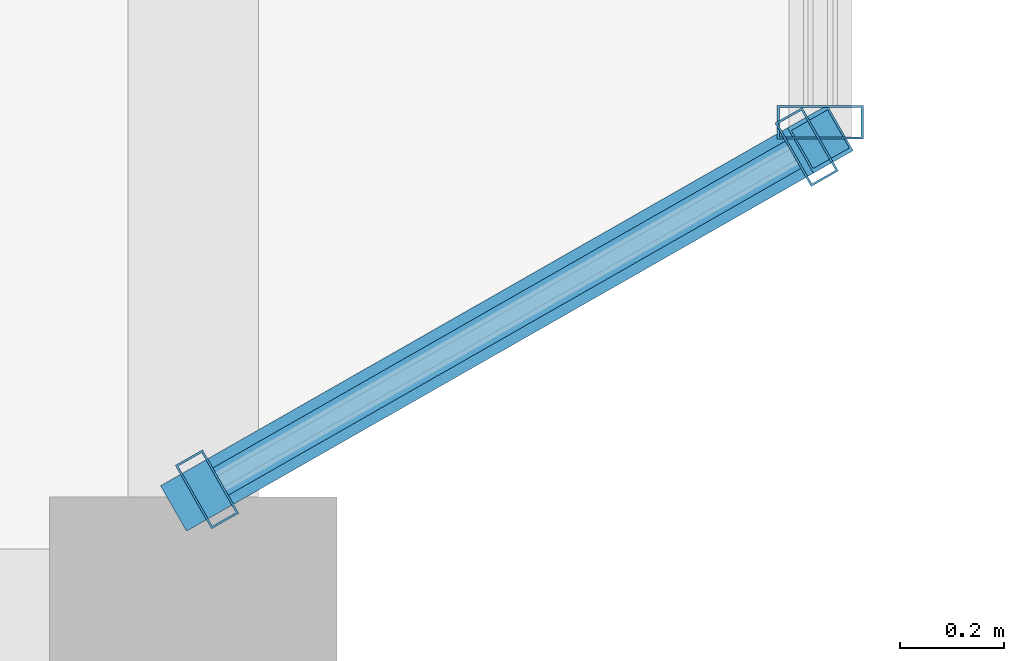
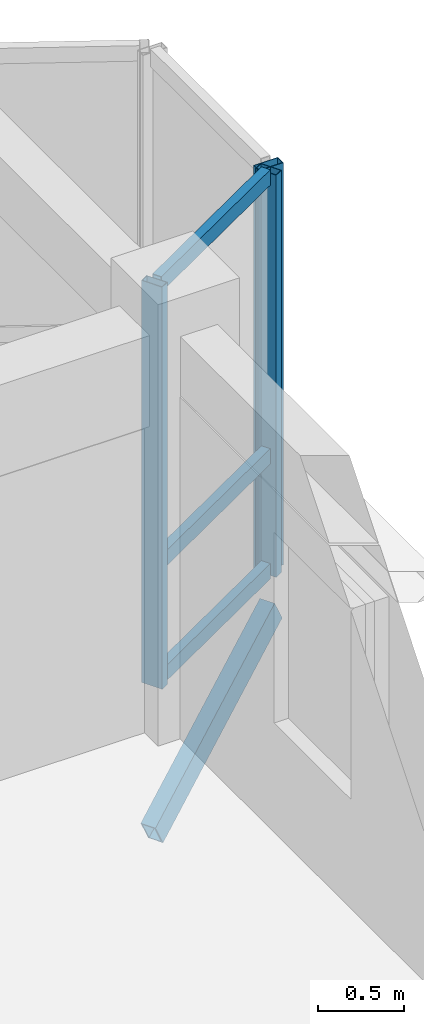
# One storey, part 8 of 79: 7 members, 2 elements without a shape of their own.
"""IFC4 building model written with IfcOpenShell, lengths in metres."""

from ifc_helpers import new_model, si_unit, direction, frame, origin, origin_2d, place, context, subcontext, project, spatial, hollow_rectangle, extrude, material, layer, layer_set, material_profile, profile_set, type_object, element, aggregate, save


model = new_model("IFC4")

# Units and contexts
model_context = context("Model", 3, precision=1e-05, world=origin(), true_north=direction((0.0, 1.0)))
body_context = subcontext(model_context, "Body", "Model", "MODEL_VIEW")
ifc_project = project(units=[si_unit("LENGTHUNIT", "METRE"), si_unit("AREAUNIT", "SQUARE_METRE"), si_unit("VOLUMEUNIT", "CUBIC_METRE"), si_unit("PLANEANGLEUNIT", "RADIAN"), si_unit("MASSUNIT", "GRAM", prefix="KILO"), si_unit("THERMODYNAMICTEMPERATUREUNIT", "KELVIN"), si_unit("POWERUNIT", "WATT")], contexts=[model_context])

# Site, building, storey
site_placement = place(None, origin())
site = spatial("IfcSite", under=ifc_project, at=site_placement, CompositionType="ELEMENT")
building_placement = place(site_placement, origin())
building = spatial("IfcBuilding", under=site, at=building_placement, Name="Tavuni Mirador Residences", CompositionType="ELEMENT")
storey_placement = place(building_placement, frame((0.0, 0.0, 13.949951171875)))
storey = spatial("IfcBuildingStorey", under=building, at=storey_placement, Name="L04", CompositionType="ELEMENT", Elevation=13.949951171875)

# Curtain wall, members
ifc_material_1 = material(Name="Anodised aluminium", Category="aluminium")
ifc_layer_1 = layer(ifc_material_1, 0.1650390625, Name="Anodised aluminium", Category="aluminium")
ifc_layer_set_1 = layer_set([ifc_layer_1], Name="Anodised aluminium")
curtain_wall_type_1 = type_object("IfcCurtainWallType", Name="CWT-MIR-A", PredefinedType="NOTDEFINED", material=ifc_layer_set_1)
curtain_wall_1_placement = place(storey_placement, origin())
curtain_wall_1 = element("IfcCurtainWall", 1, at=curtain_wall_1_placement, inside=storey, type_object=curtain_wall_type_1, Name="CW-MIR-A-E2-L04-M1", PredefinedType="NOTDEFINED")
ifc_material_profile_1 = material_profile(ifc_material_1, hollow_rectangle(XDim=0.06005859375, YDim=0.139892578125, WallThickness=0.00390625, at=origin_2d()), Name="ALU 60x140x4.0", Category="aluminium")
ifc_profile_set_1 = profile_set([ifc_material_profile_1], Name="Anodised aluminium")
member_type_1 = type_object("IfcMemberType", Name="CWM-140", PredefinedType="MULLION", material=ifc_profile_set_1)
member_1_placement = place(storey_placement, frame((32.426025390625, 21.889892578125, 0.0), z_axis=(0.0, 0.0, 1.0), x_axis=(0.868465738194, 0.495749192217, 0.0)))
member_1 = element("IfcMember", 2, at=member_1_placement, type_object=member_type_1, Name="CW-01 mullion 1", PredefinedType="MULLION", context=body_context, shape_type="SweptSolid", body=[
    extrude(hollow_rectangle(XDim=0.06005859375, YDim=0.139892578125, WallThickness=0.00390625, at=origin_2d()), origin(), (0.0, 0.0, 1.0), 2.8701171875),
])
member_2_placement = place(storey_placement, frame((33.573974609375, 22.545166015625, 0.0), z_axis=(0.0, 0.0, 1.0), x_axis=(0.868465738194, 0.495749192217, 0.0)))
member_2 = element("IfcMember", 3, at=member_2_placement, type_object=member_type_1, Name="CW-01 mullion 2", PredefinedType="MULLION", context=body_context, shape_type="SweptSolid", body=[
    extrude(hollow_rectangle(XDim=0.06005859375, YDim=0.139892578125, WallThickness=0.00390625, at=origin_2d()), origin(), (0.0, 0.0, 1.0), 2.8701171875),
])

# Curtain wall, member
ifc_layer_2 = layer(ifc_material_1, 0.14990234375, Name="Anodised aluminium", Category="aluminium")
ifc_layer_set_2 = layer_set([ifc_layer_2], Name="Anodised aluminium")
curtain_wall_type_2 = type_object("IfcCurtainWallType", Name="CWT-MIR-B", PredefinedType="NOTDEFINED", material=ifc_layer_set_2)
curtain_wall_2_placement = place(storey_placement, origin())
curtain_wall_2 = element("IfcCurtainWall", 4, at=curtain_wall_2_placement, inside=storey, type_object=curtain_wall_type_2, Name="CW-MIR-A-E2-L04-MF", PredefinedType="NOTDEFINED")
ifc_material_profile_2 = material_profile(ifc_material_1, hollow_rectangle(XDim=0.06494140625, YDim=0.1650390625, WallThickness=0.00439453125, at=origin_2d()), Name="ALU 65x165x4.5", Category="aluminium")
ifc_profile_set_2 = profile_set([ifc_material_profile_2], Name="Anodised aluminium")
member_type_2 = type_object("IfcMemberType", Name="CWM-165", PredefinedType="MULLION", material=ifc_profile_set_2)
member_3_placement = place(storey_placement, frame((33.60009765625, 22.592529296875, 0.0), z_axis=(0.0, 0.0, 1.0), x_axis=(0.0, 1.0, 0.0)))
member_3 = element("IfcMember", 5, at=member_3_placement, type_object=member_type_2, Name="CW-02 mullion 1", PredefinedType="MULLION", context=body_context, shape_type="SweptSolid", body=[
    extrude(hollow_rectangle(XDim=0.06494140625, YDim=0.1650390625, WallThickness=0.00439453125, at=origin_2d()), origin(), (0.0, 0.0, 1.0), 2.8701171875),
])
aggregate(curtain_wall_2, [member_3])

# Member
ifc_material_profile_3 = material_profile(ifc_material_1, hollow_rectangle(XDim=0.06005859375, YDim=0.110107421875, WallThickness=0.00390625, at=origin_2d()), Name="ALU 60x110x4.0", Category="aluminium")
ifc_profile_set_3 = profile_set([ifc_material_profile_3], Name="Anodised aluminium")
member_type_3 = type_object("IfcMemberType", Name="CWT-110", PredefinedType="USERDEFINED", material=ifc_profile_set_3)
member_4_placement = place(storey_placement, frame((32.4521484375, 21.90478515625, 0.030029296875), z_axis=(0.868457406816, 0.495763787046, 0.0), x_axis=(-0.495763787046, 0.868457406816, 0.0)))
member_4 = element("IfcMember", 6, at=member_4_placement, type_object=member_type_3, Name="CW-01 transom 1.1", ObjectType="TRANSOM", PredefinedType="USERDEFINED", context=body_context, shape_type="SweptSolid", body=[
    extrude(hollow_rectangle(XDim=0.06005859375, YDim=0.110107421875, WallThickness=0.00390625, at=origin_2d()), origin(), (0.0, 0.0, 1.0), 1.26171875),
])

member_5_placement = place(storey_placement, frame((32.4521484375, 21.90478515625, 0.85009765625), z_axis=(0.868457406816, 0.495763787046, 0.0), x_axis=(-0.495763787046, 0.868457406816, 0.0)))
member_5 = element("IfcMember", 7, at=member_5_placement, type_object=member_type_3, Name="CW-01 transom 1.2", ObjectType="TRANSOM", PredefinedType="USERDEFINED", context=body_context, shape_type="SweptSolid", body=[
    extrude(hollow_rectangle(XDim=0.06005859375, YDim=0.110107421875, WallThickness=0.00390625, at=origin_2d()), origin(), (0.0, 0.0, 1.0), 1.26171875),
])

member_6_placement = place(storey_placement, frame((32.4521484375, 21.90478515625, 2.840087890625), z_axis=(0.868457406816, 0.495763787046, 0.0), x_axis=(-0.495763787046, 0.868457406816, 0.0)))
member_6 = element("IfcMember", 8, at=member_6_placement, type_object=member_type_3, Name="CW-01 transom 1.3", ObjectType="TRANSOM", PredefinedType="USERDEFINED", context=body_context, shape_type="SweptSolid", body=[
    extrude(hollow_rectangle(XDim=0.06005859375, YDim=0.110107421875, WallThickness=0.00390625, at=origin_2d()), origin(), (0.0, 0.0, 1.0), 1.26171875),
])

aggregate(curtain_wall_1, [member_1, member_2, member_4, member_5, member_6])

ifc_material_2 = material(Name="Structural steel S355", Category="steel")
ifc_material_profile_4 = material_profile(ifc_material_2, hollow_rectangle(XDim=0.10009765625, YDim=0.179931640625, WallThickness=0.008056640625, at=origin_2d()), Name="RHS 180x100x8.0", Category="steel")
ifc_profile_set_4 = profile_set([ifc_material_profile_4], Name="Structural steel S355")
member_type_4 = type_object("IfcMemberType", Name="MT-BR-RHS180", PredefinedType="BRACE", material=ifc_profile_set_4)
member_7_placement = place(storey_placement, frame((32.39990234375, 21.875, -1.050048828125), z_axis=(0.758659970715, 0.433034962942, 0.486739940528), x_axis=(-0.495720321961, 0.868482217662, 0.0)))
element("IfcMember", 9, at=member_7_placement, inside=storey, type_object=member_type_4, Name="MBRK-MIR-A-E2-L04-1", PredefinedType="BRACE", context=body_context, shape_type="SweptSolid", body=[
    extrude(hollow_rectangle(XDim=0.10009765625, YDim=0.179931640625, WallThickness=0.008056640625, at=origin_2d()), origin(), (0.0, 0.0, 1.0), 1.58203125),
])

save(model, "model.ifc")
